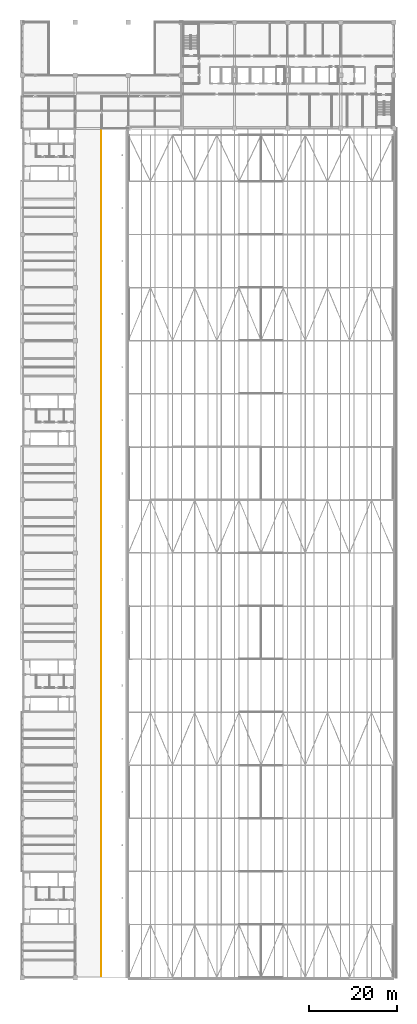
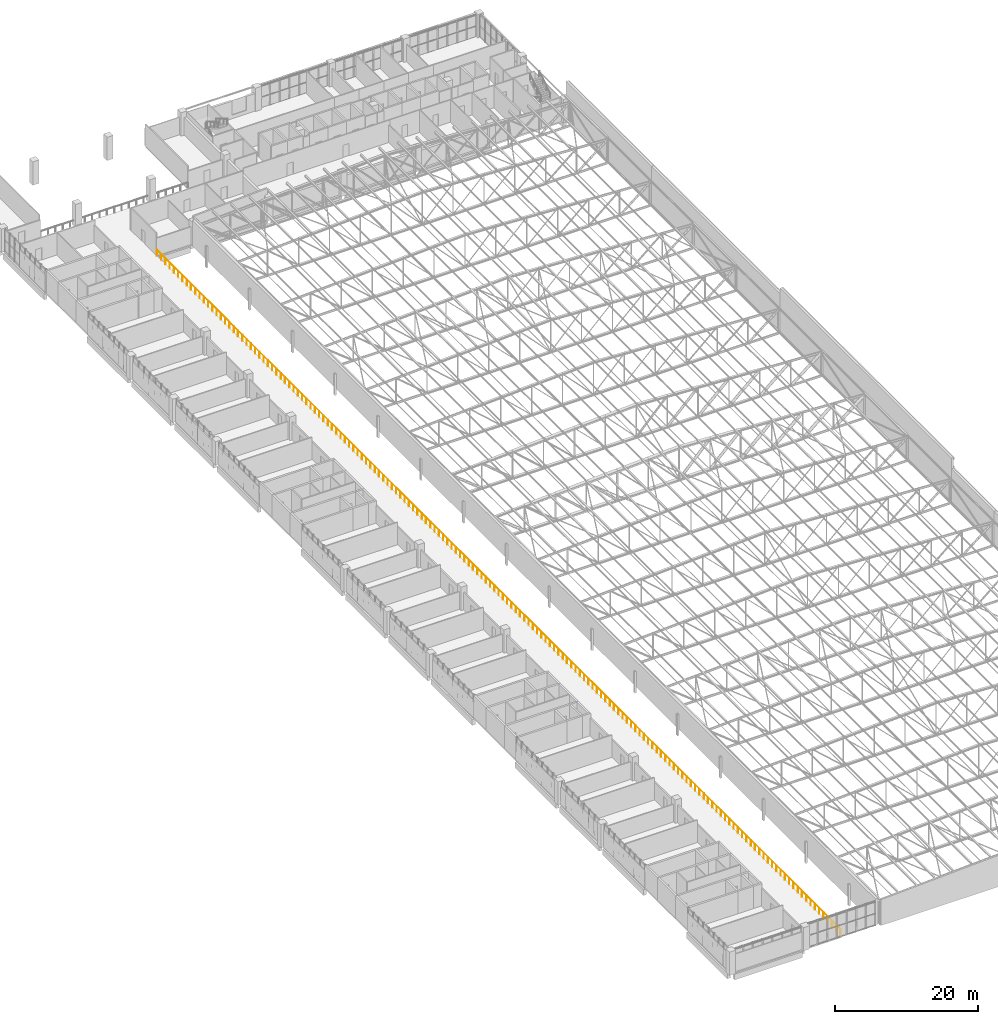
# One storey, part 154 of 156: 1 railing.
"""IFC4 building model written with IfcOpenShell, lengths in metres."""

from ifc_helpers import new_model, si_unit, direction, frame, origin, origin_2d, place, context, subcontext, project, spatial, circle, extrude, material, constituent, constituent_set, type_object, element, save


model = new_model("IFC4")

# Units and contexts
model_context = context("Model", 3, precision=1e-05, world=origin(), true_north=direction((0.0, 1.0)))
body_context = subcontext(model_context, "Body", "Model", "MODEL_VIEW")
ifc_project = project(units=[si_unit("LENGTHUNIT", "METRE"), si_unit("AREAUNIT", "SQUARE_METRE"), si_unit("VOLUMEUNIT", "CUBIC_METRE"), si_unit("PLANEANGLEUNIT", "RADIAN"), si_unit("MASSUNIT", "GRAM", prefix="KILO")], contexts=[model_context])

# Site, building, storey
site_placement = place(None, origin())
site = spatial("IfcSite", under=ifc_project, at=site_placement, CompositionType="ELEMENT")
building_placement = place(site_placement, origin())
building = spatial("IfcBuilding", under=site, at=building_placement, Name="Lilac Gate Convention Centre", CompositionType="ELEMENT")
storey_placement = place(building_placement, frame((0.0, 0.0, 17.0)))
storey = spatial("IfcBuildingStorey", under=building, at=storey_placement, Name="L03", CompositionType="ELEMENT", Elevation=17.0)

# Railing
ifc_material_1 = material(Name="Steel Q235B", Category="steel")
ifc_constituent_1 = constituent(ifc_material_1, Name="Frame")
ifc_material_2 = material(Name="Safety glass, bonded interlayer", Category="glass")
ifc_constituent_2 = constituent(ifc_material_2, Name="Infill")
ifc_constituent_set = constituent_set(constituents=[ifc_constituent_1, ifc_constituent_2], Name="Steel Q235B, Safety glass, bonded interlayer")
railing_type = type_object("IfcRailingType", Name="Guard 1100 steel and glass", PredefinedType="GUARDRAIL", material=ifc_constituent_set)
railing_placement = place(storey_placement, frame((23.89990234375, 30.199951171875, 0.0)))
element("IfcRailing", 1, at=railing_placement, inside=storey, type_object=railing_type, Name="Gallery guard L03", PredefinedType="GUARDRAIL", context=body_context, shape_type="SweptSolid", body=[
    extrude(circle(Radius=0.02392578125, at=origin_2d()), frame((0.0, 0.0, 1.076171875), z_axis=(0.0, 1.0, 0.0), x_axis=(-1.0, 0.0, 0.0)), (0.0, 0.0, 1.0), 191.60009765625),
    extrude(circle(Radius=0.02099609375, at=origin_2d()), origin(), (0.0, 0.0, 1.0), 1.052001953125),
    extrude(circle(Radius=0.02099609375, at=origin_2d()), frame((0.0, 1.197509765625, 0.0)), (0.0, 0.0, 1.0), 1.052001953125),
    extrude(circle(Radius=0.02099609375, at=origin_2d()), frame((0.0, 2.39501953125, 0.0)), (0.0, 0.0, 1.0), 1.052001953125),
    extrude(circle(Radius=0.02099609375, at=origin_2d()), frame((0.0, 3.592529296875, 0.0)), (0.0, 0.0, 1.0), 1.052001953125),
    extrude(circle(Radius=0.02099609375, at=origin_2d()), frame((0.0, 4.7900390625, 0.0)), (0.0, 0.0, 1.0), 1.052001953125),
    extrude(circle(Radius=0.02099609375, at=origin_2d()), frame((0.0, 5.987548828125, 0.0)), (0.0, 0.0, 1.0), 1.052001953125),
    extrude(circle(Radius=0.02099609375, at=origin_2d()), frame((0.0, 7.18505859375, 0.0)), (0.0, 0.0, 1.0), 1.052001953125),
    extrude(circle(Radius=0.02099609375, at=origin_2d()), frame((0.0, 8.382568359375, 0.0)), (0.0, 0.0, 1.0), 1.052001953125),
    extrude(circle(Radius=0.02099609375, at=origin_2d()), frame((0.0, 9.580078125, 0.0)), (0.0, 0.0, 1.0), 1.052001953125),
    extrude(circle(Radius=0.02099609375, at=origin_2d()), frame((0.0, 10.777587890625, 0.0)), (0.0, 0.0, 1.0), 1.052001953125),
    extrude(circle(Radius=0.02099609375, at=origin_2d()), frame((0.0, 11.97509765625, 0.0)), (0.0, 0.0, 1.0), 1.052001953125),
    extrude(circle(Radius=0.02099609375, at=origin_2d()), frame((0.0, 13.172607421875, 0.0)), (0.0, 0.0, 1.0), 1.052001953125),
    extrude(circle(Radius=0.02099609375, at=origin_2d()), frame((0.0, 14.3701171875, 0.0)), (0.0, 0.0, 1.0), 1.052001953125),
    extrude(circle(Radius=0.02099609375, at=origin_2d()), frame((0.0, 15.567626953125, 0.0)), (0.0, 0.0, 1.0), 1.052001953125),
    extrude(circle(Radius=0.02099609375, at=origin_2d()), frame((0.0, 16.764892578125, 0.0)), (0.0, 0.0, 1.0), 1.052001953125),
    extrude(circle(Radius=0.02099609375, at=origin_2d()), frame((0.0, 17.96240234375, 0.0)), (0.0, 0.0, 1.0), 1.052001953125),
    extrude(circle(Radius=0.02099609375, at=origin_2d()), frame((0.0, 19.159912109375, 0.0)), (0.0, 0.0, 1.0), 1.052001953125),
    extrude(circle(Radius=0.02099609375, at=origin_2d()), frame((0.0, 20.357421875, 0.0)), (0.0, 0.0, 1.0), 1.052001953125),
    extrude(circle(Radius=0.02099609375, at=origin_2d()), frame((0.0, 21.554931640625, 0.0)), (0.0, 0.0, 1.0), 1.052001953125),
    extrude(circle(Radius=0.02099609375, at=origin_2d()), frame((0.0, 22.75244140625, 0.0)), (0.0, 0.0, 1.0), 1.052001953125),
    extrude(circle(Radius=0.02099609375, at=origin_2d()), frame((0.0, 23.949951171875, 0.0)), (0.0, 0.0, 1.0), 1.052001953125),
    extrude(circle(Radius=0.02099609375, at=origin_2d()), frame((0.0, 25.1474609375, 0.0)), (0.0, 0.0, 1.0), 1.052001953125),
    extrude(circle(Radius=0.02099609375, at=origin_2d()), frame((0.0, 26.344970703125, 0.0)), (0.0, 0.0, 1.0), 1.052001953125),
    extrude(circle(Radius=0.02099609375, at=origin_2d()), frame((0.0, 27.54248046875, 0.0)), (0.0, 0.0, 1.0), 1.052001953125),
    extrude(circle(Radius=0.02099609375, at=origin_2d()), frame((0.0, 28.739990234375, 0.0)), (0.0, 0.0, 1.0), 1.052001953125),
    extrude(circle(Radius=0.02099609375, at=origin_2d()), frame((0.0, 29.9375, 0.0)), (0.0, 0.0, 1.0), 1.052001953125),
    extrude(circle(Radius=0.02099609375, at=origin_2d()), frame((0.0, 31.135009765625, 0.0)), (0.0, 0.0, 1.0), 1.052001953125),
    extrude(circle(Radius=0.02099609375, at=origin_2d()), frame((0.0, 32.33251953125, 0.0)), (0.0, 0.0, 1.0), 1.052001953125),
    extrude(circle(Radius=0.02099609375, at=origin_2d()), frame((0.0, 33.530029296875, 0.0)), (0.0, 0.0, 1.0), 1.052001953125),
    extrude(circle(Radius=0.02099609375, at=origin_2d()), frame((0.0, 34.7275390625, 0.0)), (0.0, 0.0, 1.0), 1.052001953125),
    extrude(circle(Radius=0.02099609375, at=origin_2d()), frame((0.0, 35.925048828125, 0.0)), (0.0, 0.0, 1.0), 1.052001953125),
    extrude(circle(Radius=0.02099609375, at=origin_2d()), frame((0.0, 37.12255859375, 0.0)), (0.0, 0.0, 1.0), 1.052001953125),
    extrude(circle(Radius=0.02099609375, at=origin_2d()), frame((0.0, 38.320068359375, 0.0)), (0.0, 0.0, 1.0), 1.052001953125),
    extrude(circle(Radius=0.02099609375, at=origin_2d()), frame((0.0, 39.517578125, 0.0)), (0.0, 0.0, 1.0), 1.052001953125),
    extrude(circle(Radius=0.02099609375, at=origin_2d()), frame((0.0, 40.715087890625, 0.0)), (0.0, 0.0, 1.0), 1.052001953125),
    extrude(circle(Radius=0.02099609375, at=origin_2d()), frame((0.0, 41.91259765625, 0.0)), (0.0, 0.0, 1.0), 1.052001953125),
    extrude(circle(Radius=0.02099609375, at=origin_2d()), frame((0.0, 43.110107421875, 0.0)), (0.0, 0.0, 1.0), 1.052001953125),
    extrude(circle(Radius=0.02099609375, at=origin_2d()), frame((0.0, 44.3076171875, 0.0)), (0.0, 0.0, 1.0), 1.052001953125),
    extrude(circle(Radius=0.02099609375, at=origin_2d()), frame((0.0, 45.505126953125, 0.0)), (0.0, 0.0, 1.0), 1.052001953125),
    extrude(circle(Radius=0.02099609375, at=origin_2d()), frame((0.0, 46.70263671875, 0.0)), (0.0, 0.0, 1.0), 1.052001953125),
    extrude(circle(Radius=0.02099609375, at=origin_2d()), frame((0.0, 47.89990234375, 0.0)), (0.0, 0.0, 1.0), 1.052001953125),
    extrude(circle(Radius=0.02099609375, at=origin_2d()), frame((0.0, 49.097412109375, 0.0)), (0.0, 0.0, 1.0), 1.052001953125),
    extrude(circle(Radius=0.02099609375, at=origin_2d()), frame((0.0, 50.294921875, 0.0)), (0.0, 0.0, 1.0), 1.052001953125),
    extrude(circle(Radius=0.02099609375, at=origin_2d()), frame((0.0, 51.492431640625, 0.0)), (0.0, 0.0, 1.0), 1.052001953125),
    extrude(circle(Radius=0.02099609375, at=origin_2d()), frame((0.0, 52.68994140625, 0.0)), (0.0, 0.0, 1.0), 1.052001953125),
    extrude(circle(Radius=0.02099609375, at=origin_2d()), frame((0.0, 53.887451171875, 0.0)), (0.0, 0.0, 1.0), 1.052001953125),
    extrude(circle(Radius=0.02099609375, at=origin_2d()), frame((0.0, 55.0849609375, 0.0)), (0.0, 0.0, 1.0), 1.052001953125),
    extrude(circle(Radius=0.02099609375, at=origin_2d()), frame((0.0, 56.282470703125, 0.0)), (0.0, 0.0, 1.0), 1.052001953125),
    extrude(circle(Radius=0.02099609375, at=origin_2d()), frame((0.0, 57.47998046875, 0.0)), (0.0, 0.0, 1.0), 1.052001953125),
    extrude(circle(Radius=0.02099609375, at=origin_2d()), frame((0.0, 58.677490234375, 0.0)), (0.0, 0.0, 1.0), 1.052001953125),
    extrude(circle(Radius=0.02099609375, at=origin_2d()), frame((0.0, 59.875, 0.0)), (0.0, 0.0, 1.0), 1.052001953125),
    extrude(circle(Radius=0.02099609375, at=origin_2d()), frame((0.0, 61.072509765625, 0.0)), (0.0, 0.0, 1.0), 1.052001953125),
    extrude(circle(Radius=0.02099609375, at=origin_2d()), frame((0.0, 62.27001953125, 0.0)), (0.0, 0.0, 1.0), 1.052001953125),
    extrude(circle(Radius=0.02099609375, at=origin_2d()), frame((0.0, 63.467529296875, 0.0)), (0.0, 0.0, 1.0), 1.052001953125),
    extrude(circle(Radius=0.02099609375, at=origin_2d()), frame((0.0, 64.6650390625, 0.0)), (0.0, 0.0, 1.0), 1.052001953125),
    extrude(circle(Radius=0.02099609375, at=origin_2d()), frame((0.0, 65.862548828125, 0.0)), (0.0, 0.0, 1.0), 1.052001953125),
    extrude(circle(Radius=0.02099609375, at=origin_2d()), frame((0.0, 67.06005859375, 0.0)), (0.0, 0.0, 1.0), 1.052001953125),
    extrude(circle(Radius=0.02099609375, at=origin_2d()), frame((0.0, 68.257568359375, 0.0)), (0.0, 0.0, 1.0), 1.052001953125),
    extrude(circle(Radius=0.02099609375, at=origin_2d()), frame((0.0, 69.455078125, 0.0)), (0.0, 0.0, 1.0), 1.052001953125),
    extrude(circle(Radius=0.02099609375, at=origin_2d()), frame((0.0, 70.652587890625, 0.0)), (0.0, 0.0, 1.0), 1.052001953125),
    extrude(circle(Radius=0.02099609375, at=origin_2d()), frame((0.0, 71.85009765625, 0.0)), (0.0, 0.0, 1.0), 1.052001953125),
    extrude(circle(Radius=0.02099609375, at=origin_2d()), frame((0.0, 73.047607421875, 0.0)), (0.0, 0.0, 1.0), 1.052001953125),
    extrude(circle(Radius=0.02099609375, at=origin_2d()), frame((0.0, 74.2451171875, 0.0)), (0.0, 0.0, 1.0), 1.052001953125),
    extrude(circle(Radius=0.02099609375, at=origin_2d()), frame((0.0, 75.442626953125, 0.0)), (0.0, 0.0, 1.0), 1.052001953125),
    extrude(circle(Radius=0.02099609375, at=origin_2d()), frame((0.0, 76.64013671875, 0.0)), (0.0, 0.0, 1.0), 1.052001953125),
    extrude(circle(Radius=0.02099609375, at=origin_2d()), frame((0.0, 77.837646484375, 0.0)), (0.0, 0.0, 1.0), 1.052001953125),
    extrude(circle(Radius=0.02099609375, at=origin_2d()), frame((0.0, 79.03515625, 0.0)), (0.0, 0.0, 1.0), 1.052001953125),
    extrude(circle(Radius=0.02099609375, at=origin_2d()), frame((0.0, 80.232421875, 0.0)), (0.0, 0.0, 1.0), 1.052001953125),
    extrude(circle(Radius=0.02099609375, at=origin_2d()), frame((0.0, 81.429931640625, 0.0)), (0.0, 0.0, 1.0), 1.052001953125),
    extrude(circle(Radius=0.02099609375, at=origin_2d()), frame((0.0, 82.62744140625, 0.0)), (0.0, 0.0, 1.0), 1.052001953125),
    extrude(circle(Radius=0.02099609375, at=origin_2d()), frame((0.0, 83.824951171875, 0.0)), (0.0, 0.0, 1.0), 1.052001953125),
    extrude(circle(Radius=0.02099609375, at=origin_2d()), frame((0.0, 85.0224609375, 0.0)), (0.0, 0.0, 1.0), 1.052001953125),
    extrude(circle(Radius=0.02099609375, at=origin_2d()), frame((0.0, 86.219970703125, 0.0)), (0.0, 0.0, 1.0), 1.052001953125),
    extrude(circle(Radius=0.02099609375, at=origin_2d()), frame((0.0, 87.41748046875, 0.0)), (0.0, 0.0, 1.0), 1.052001953125),
    extrude(circle(Radius=0.02099609375, at=origin_2d()), frame((0.0, 88.614990234375, 0.0)), (0.0, 0.0, 1.0), 1.052001953125),
    extrude(circle(Radius=0.02099609375, at=origin_2d()), frame((0.0, 89.8125, 0.0)), (0.0, 0.0, 1.0), 1.052001953125),
    extrude(circle(Radius=0.02099609375, at=origin_2d()), frame((0.0, 91.010009765625, 0.0)), (0.0, 0.0, 1.0), 1.052001953125),
    extrude(circle(Radius=0.02099609375, at=origin_2d()), frame((0.0, 92.20751953125, 0.0)), (0.0, 0.0, 1.0), 1.052001953125),
    extrude(circle(Radius=0.02099609375, at=origin_2d()), frame((0.0, 93.405029296875, 0.0)), (0.0, 0.0, 1.0), 1.052001953125),
    extrude(circle(Radius=0.02099609375, at=origin_2d()), frame((0.0, 94.6025390625, 0.0)), (0.0, 0.0, 1.0), 1.052001953125),
    extrude(circle(Radius=0.02099609375, at=origin_2d()), frame((0.0, 95.800048828125, 0.0)), (0.0, 0.0, 1.0), 1.052001953125),
    extrude(circle(Radius=0.02099609375, at=origin_2d()), frame((0.0, 96.99755859375, 0.0)), (0.0, 0.0, 1.0), 1.052001953125),
    extrude(circle(Radius=0.02099609375, at=origin_2d()), frame((0.0, 98.195068359375, 0.0)), (0.0, 0.0, 1.0), 1.052001953125),
    extrude(circle(Radius=0.02099609375, at=origin_2d()), frame((0.0, 99.392578125, 0.0)), (0.0, 0.0, 1.0), 1.052001953125),
    extrude(circle(Radius=0.02099609375, at=origin_2d()), frame((0.0, 100.590087890625, 0.0)), (0.0, 0.0, 1.0), 1.052001953125),
    extrude(circle(Radius=0.02099609375, at=origin_2d()), frame((0.0, 101.78759765625, 0.0)), (0.0, 0.0, 1.0), 1.052001953125),
    extrude(circle(Radius=0.02099609375, at=origin_2d()), frame((0.0, 102.985107421875, 0.0)), (0.0, 0.0, 1.0), 1.052001953125),
    extrude(circle(Radius=0.02099609375, at=origin_2d()), frame((0.0, 104.1826171875, 0.0)), (0.0, 0.0, 1.0), 1.052001953125),
    extrude(circle(Radius=0.02099609375, at=origin_2d()), frame((0.0, 105.380126953125, 0.0)), (0.0, 0.0, 1.0), 1.052001953125),
    extrude(circle(Radius=0.02099609375, at=origin_2d()), frame((0.0, 106.57763671875, 0.0)), (0.0, 0.0, 1.0), 1.052001953125),
    extrude(circle(Radius=0.02099609375, at=origin_2d()), frame((0.0, 107.775146484375, 0.0)), (0.0, 0.0, 1.0), 1.052001953125),
    extrude(circle(Radius=0.02099609375, at=origin_2d()), frame((0.0, 108.97265625, 0.0)), (0.0, 0.0, 1.0), 1.052001953125),
    extrude(circle(Radius=0.02099609375, at=origin_2d()), frame((0.0, 110.170166015625, 0.0)), (0.0, 0.0, 1.0), 1.052001953125),
    extrude(circle(Radius=0.02099609375, at=origin_2d()), frame((0.0, 111.36767578125, 0.0)), (0.0, 0.0, 1.0), 1.052001953125),
    extrude(circle(Radius=0.02099609375, at=origin_2d()), frame((0.0, 112.56494140625, 0.0)), (0.0, 0.0, 1.0), 1.052001953125),
    extrude(circle(Radius=0.02099609375, at=origin_2d()), frame((0.0, 113.762451171875, 0.0)), (0.0, 0.0, 1.0), 1.052001953125),
    extrude(circle(Radius=0.02099609375, at=origin_2d()), frame((0.0, 114.9599609375, 0.0)), (0.0, 0.0, 1.0), 1.052001953125),
    extrude(circle(Radius=0.02099609375, at=origin_2d()), frame((0.0, 116.157470703125, 0.0)), (0.0, 0.0, 1.0), 1.052001953125),
    extrude(circle(Radius=0.02099609375, at=origin_2d()), frame((0.0, 117.35498046875, 0.0)), (0.0, 0.0, 1.0), 1.052001953125),
    extrude(circle(Radius=0.02099609375, at=origin_2d()), frame((0.0, 118.552490234375, 0.0)), (0.0, 0.0, 1.0), 1.052001953125),
    extrude(circle(Radius=0.02099609375, at=origin_2d()), frame((0.0, 119.75, 0.0)), (0.0, 0.0, 1.0), 1.052001953125),
    extrude(circle(Radius=0.02099609375, at=origin_2d()), frame((0.0, 120.947509765625, 0.0)), (0.0, 0.0, 1.0), 1.052001953125),
    extrude(circle(Radius=0.02099609375, at=origin_2d()), frame((0.0, 122.14501953125, 0.0)), (0.0, 0.0, 1.0), 1.052001953125),
    extrude(circle(Radius=0.02099609375, at=origin_2d()), frame((0.0, 123.342529296875, 0.0)), (0.0, 0.0, 1.0), 1.052001953125),
    extrude(circle(Radius=0.02099609375, at=origin_2d()), frame((0.0, 124.5400390625, 0.0)), (0.0, 0.0, 1.0), 1.052001953125),
    extrude(circle(Radius=0.02099609375, at=origin_2d()), frame((0.0, 125.737548828125, 0.0)), (0.0, 0.0, 1.0), 1.052001953125),
    extrude(circle(Radius=0.02099609375, at=origin_2d()), frame((0.0, 126.93505859375, 0.0)), (0.0, 0.0, 1.0), 1.052001953125),
    extrude(circle(Radius=0.02099609375, at=origin_2d()), frame((0.0, 128.132568359375, 0.0)), (0.0, 0.0, 1.0), 1.052001953125),
    extrude(circle(Radius=0.02099609375, at=origin_2d()), frame((0.0, 129.330078125, 0.0)), (0.0, 0.0, 1.0), 1.052001953125),
    extrude(circle(Radius=0.02099609375, at=origin_2d()), frame((0.0, 130.527587890625, 0.0)), (0.0, 0.0, 1.0), 1.052001953125),
    extrude(circle(Radius=0.02099609375, at=origin_2d()), frame((0.0, 131.72509765625, 0.0)), (0.0, 0.0, 1.0), 1.052001953125),
    extrude(circle(Radius=0.02099609375, at=origin_2d()), frame((0.0, 132.922607421875, 0.0)), (0.0, 0.0, 1.0), 1.052001953125),
    extrude(circle(Radius=0.02099609375, at=origin_2d()), frame((0.0, 134.1201171875, 0.0)), (0.0, 0.0, 1.0), 1.052001953125),
    extrude(circle(Radius=0.02099609375, at=origin_2d()), frame((0.0, 135.317626953125, 0.0)), (0.0, 0.0, 1.0), 1.052001953125),
    extrude(circle(Radius=0.02099609375, at=origin_2d()), frame((0.0, 136.51513671875, 0.0)), (0.0, 0.0, 1.0), 1.052001953125),
    extrude(circle(Radius=0.02099609375, at=origin_2d()), frame((0.0, 137.712646484375, 0.0)), (0.0, 0.0, 1.0), 1.052001953125),
    extrude(circle(Radius=0.02099609375, at=origin_2d()), frame((0.0, 138.91015625, 0.0)), (0.0, 0.0, 1.0), 1.052001953125),
    extrude(circle(Radius=0.02099609375, at=origin_2d()), frame((0.0, 140.107666015625, 0.0)), (0.0, 0.0, 1.0), 1.052001953125),
    extrude(circle(Radius=0.02099609375, at=origin_2d()), frame((0.0, 141.30517578125, 0.0)), (0.0, 0.0, 1.0), 1.052001953125),
    extrude(circle(Radius=0.02099609375, at=origin_2d()), frame((0.0, 142.502685546875, 0.0)), (0.0, 0.0, 1.0), 1.052001953125),
    extrude(circle(Radius=0.02099609375, at=origin_2d()), frame((0.0, 143.7001953125, 0.0)), (0.0, 0.0, 1.0), 1.052001953125),
    extrude(circle(Radius=0.02099609375, at=origin_2d()), frame((0.0, 144.8974609375, 0.0)), (0.0, 0.0, 1.0), 1.052001953125),
    extrude(circle(Radius=0.02099609375, at=origin_2d()), frame((0.0, 146.094970703125, 0.0)), (0.0, 0.0, 1.0), 1.052001953125),
    extrude(circle(Radius=0.02099609375, at=origin_2d()), frame((0.0, 147.29248046875, 0.0)), (0.0, 0.0, 1.0), 1.052001953125),
    extrude(circle(Radius=0.02099609375, at=origin_2d()), frame((0.0, 148.489990234375, 0.0)), (0.0, 0.0, 1.0), 1.052001953125),
    extrude(circle(Radius=0.02099609375, at=origin_2d()), frame((0.0, 149.6875, 0.0)), (0.0, 0.0, 1.0), 1.052001953125),
    extrude(circle(Radius=0.02099609375, at=origin_2d()), frame((0.0, 150.885009765625, 0.0)), (0.0, 0.0, 1.0), 1.052001953125),
    extrude(circle(Radius=0.02099609375, at=origin_2d()), frame((0.0, 152.08251953125, 0.0)), (0.0, 0.0, 1.0), 1.052001953125),
    extrude(circle(Radius=0.02099609375, at=origin_2d()), frame((0.0, 153.280029296875, 0.0)), (0.0, 0.0, 1.0), 1.052001953125),
    extrude(circle(Radius=0.02099609375, at=origin_2d()), frame((0.0, 154.4775390625, 0.0)), (0.0, 0.0, 1.0), 1.052001953125),
    extrude(circle(Radius=0.02099609375, at=origin_2d()), frame((0.0, 155.675048828125, 0.0)), (0.0, 0.0, 1.0), 1.052001953125),
    extrude(circle(Radius=0.02099609375, at=origin_2d()), frame((0.0, 156.87255859375, 0.0)), (0.0, 0.0, 1.0), 1.052001953125),
    extrude(circle(Radius=0.02099609375, at=origin_2d()), frame((0.0, 158.070068359375, 0.0)), (0.0, 0.0, 1.0), 1.052001953125),
    extrude(circle(Radius=0.02099609375, at=origin_2d()), frame((0.0, 159.267578125, 0.0)), (0.0, 0.0, 1.0), 1.052001953125),
    extrude(circle(Radius=0.02099609375, at=origin_2d()), frame((0.0, 160.465087890625, 0.0)), (0.0, 0.0, 1.0), 1.052001953125),
    extrude(circle(Radius=0.02099609375, at=origin_2d()), frame((0.0, 161.66259765625, 0.0)), (0.0, 0.0, 1.0), 1.052001953125),
    extrude(circle(Radius=0.02099609375, at=origin_2d()), frame((0.0, 162.860107421875, 0.0)), (0.0, 0.0, 1.0), 1.052001953125),
    extrude(circle(Radius=0.02099609375, at=origin_2d()), frame((0.0, 164.0576171875, 0.0)), (0.0, 0.0, 1.0), 1.052001953125),
    extrude(circle(Radius=0.02099609375, at=origin_2d()), frame((0.0, 165.255126953125, 0.0)), (0.0, 0.0, 1.0), 1.052001953125),
    extrude(circle(Radius=0.02099609375, at=origin_2d()), frame((0.0, 166.45263671875, 0.0)), (0.0, 0.0, 1.0), 1.052001953125),
    extrude(circle(Radius=0.02099609375, at=origin_2d()), frame((0.0, 167.650146484375, 0.0)), (0.0, 0.0, 1.0), 1.052001953125),
    extrude(circle(Radius=0.02099609375, at=origin_2d()), frame((0.0, 168.84765625, 0.0)), (0.0, 0.0, 1.0), 1.052001953125),
    extrude(circle(Radius=0.02099609375, at=origin_2d()), frame((0.0, 170.045166015625, 0.0)), (0.0, 0.0, 1.0), 1.052001953125),
    extrude(circle(Radius=0.02099609375, at=origin_2d()), frame((0.0, 171.24267578125, 0.0)), (0.0, 0.0, 1.0), 1.052001953125),
    extrude(circle(Radius=0.02099609375, at=origin_2d()), frame((0.0, 172.440185546875, 0.0)), (0.0, 0.0, 1.0), 1.052001953125),
    extrude(circle(Radius=0.02099609375, at=origin_2d()), frame((0.0, 173.6376953125, 0.0)), (0.0, 0.0, 1.0), 1.052001953125),
    extrude(circle(Radius=0.02099609375, at=origin_2d()), frame((0.0, 174.835205078125, 0.0)), (0.0, 0.0, 1.0), 1.052001953125),
    extrude(circle(Radius=0.02099609375, at=origin_2d()), frame((0.0, 176.032470703125, 0.0)), (0.0, 0.0, 1.0), 1.052001953125),
    extrude(circle(Radius=0.02099609375, at=origin_2d()), frame((0.0, 177.22998046875, 0.0)), (0.0, 0.0, 1.0), 1.052001953125),
    extrude(circle(Radius=0.02099609375, at=origin_2d()), frame((0.0, 178.427490234375, 0.0)), (0.0, 0.0, 1.0), 1.052001953125),
    extrude(circle(Radius=0.02099609375, at=origin_2d()), frame((0.0, 179.625, 0.0)), (0.0, 0.0, 1.0), 1.052001953125),
    extrude(circle(Radius=0.02099609375, at=origin_2d()), frame((0.0, 180.822509765625, 0.0)), (0.0, 0.0, 1.0), 1.052001953125),
    extrude(circle(Radius=0.02099609375, at=origin_2d()), frame((0.0, 182.02001953125, 0.0)), (0.0, 0.0, 1.0), 1.052001953125),
    extrude(circle(Radius=0.02099609375, at=origin_2d()), frame((0.0, 183.217529296875, 0.0)), (0.0, 0.0, 1.0), 1.052001953125),
    extrude(circle(Radius=0.02099609375, at=origin_2d()), frame((0.0, 184.4150390625, 0.0)), (0.0, 0.0, 1.0), 1.052001953125),
    extrude(circle(Radius=0.02099609375, at=origin_2d()), frame((0.0, 185.612548828125, 0.0)), (0.0, 0.0, 1.0), 1.052001953125),
    extrude(circle(Radius=0.02099609375, at=origin_2d()), frame((0.0, 186.81005859375, 0.0)), (0.0, 0.0, 1.0), 1.052001953125),
    extrude(circle(Radius=0.02099609375, at=origin_2d()), frame((0.0, 188.007568359375, 0.0)), (0.0, 0.0, 1.0), 1.052001953125),
    extrude(circle(Radius=0.02099609375, at=origin_2d()), frame((0.0, 189.205078125, 0.0)), (0.0, 0.0, 1.0), 1.052001953125),
    extrude(circle(Radius=0.02099609375, at=origin_2d()), frame((0.0, 190.402587890625, 0.0)), (0.0, 0.0, 1.0), 1.052001953125),
    extrude(circle(Radius=0.02099609375, at=origin_2d()), frame((0.0, 191.60009765625, 0.0)), (0.0, 0.0, 1.0), 1.052001953125),
])

save(model, "model.ifc")
